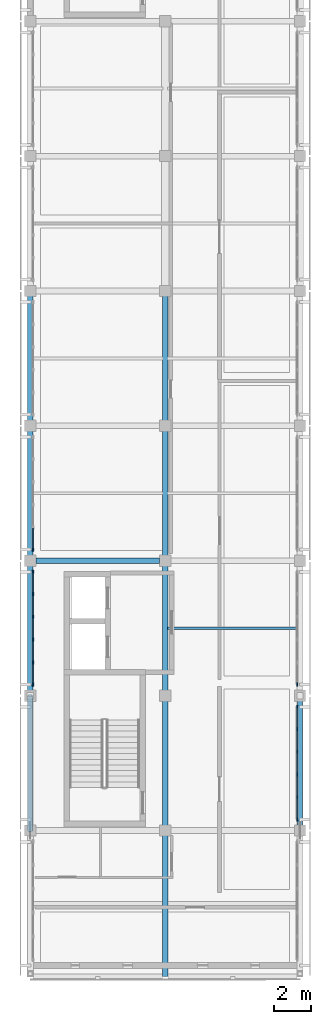
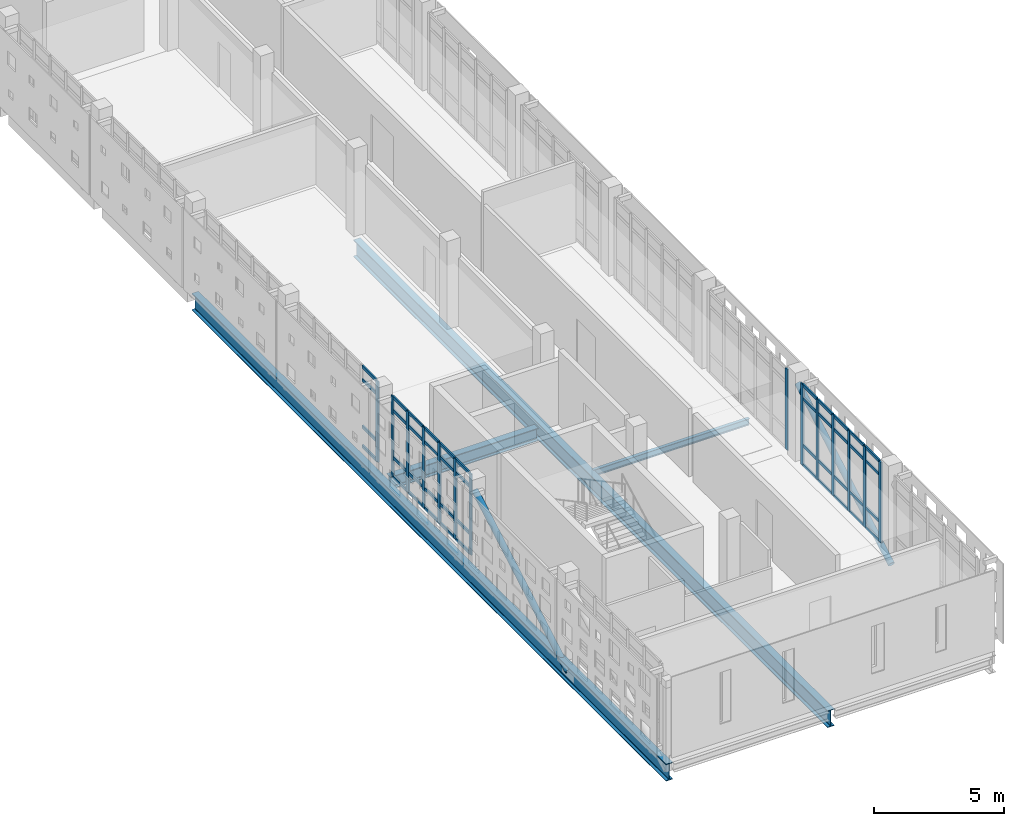
# One storey, part 3 of 21: 60 members, 4 beams, 4 elements without a shape of their own.
"""IFC4 building model written with IfcOpenShell, lengths in metres."""

from ifc_helpers import new_model, si_unit, direction, frame, origin, origin_2d, place, context, subcontext, project, spatial, rectangle, hollow_circle, i_section, extrude, material, layer, layer_set, material_profile, profile_set, type_object, element, aggregate, save


model = new_model("IFC4")

# Units and contexts
model_context = context("Model", 3, precision=1e-05, world=origin(), true_north=direction((0.0, 1.0)))
body_context = subcontext(model_context, "Body", "Model", "MODEL_VIEW")
ifc_project = project(units=[si_unit("LENGTHUNIT", "METRE"), si_unit("AREAUNIT", "SQUARE_METRE"), si_unit("VOLUMEUNIT", "CUBIC_METRE"), si_unit("PLANEANGLEUNIT", "RADIAN"), si_unit("MASSUNIT", "GRAM", prefix="KILO")], contexts=[model_context])

# Site, building, storey
site_placement = place(None, origin())
site = spatial("IfcSite", under=ifc_project, at=site_placement, CompositionType="ELEMENT")
building_placement = place(site_placement, origin())
building = spatial("IfcBuilding", under=site, at=building_placement, Name="Valkovuoma Quantum and Materials Research Institute", CompositionType="ELEMENT")
storey_placement = place(building_placement, frame((0.0, 0.0, 33.919921875)))
storey = spatial("IfcBuildingStorey", under=building, at=storey_placement, Name="L08", CompositionType="ELEMENT", Elevation=33.919921875)

# Beams
ifc_material_1 = material(Name="Steel S355J2", Category="steel")
ifc_material_profile_1 = material_profile(ifc_material_1, i_section(OverallWidth=0.300048828125, OverallDepth=0.60009765625, WebThickness=0.015380859375, FlangeThickness=0.030029296875, FilletRadius=0.027099609375, at=origin_2d()), Name="Steel S355J2")
ifc_profile_set_1 = profile_set([ifc_material_profile_1], Name="Steel S355J2")
beam_type_1 = type_object("IfcBeamType", Name="Beam-B-HEB600", PredefinedType="BEAM", material=ifc_profile_set_1)
beam_1_placement = place(storey_placement, frame((0.300048828125, 43.199951171875, -0.64990234375), z_axis=(1.0, 0.0, 0.0), x_axis=(0.0, 1.0, 0.0)))
element("IfcBeam", 1, at=beam_1_placement, inside=storey, type_object=beam_type_1, Name="L08 beam X-2534", PredefinedType="BEAM", context=body_context, shape_type="SweptSolid", body=[
    extrude(i_section(OverallWidth=0.300048828125, OverallDepth=0.60009765625, WebThickness=0.015380859375, FlangeThickness=0.030029296875, FilletRadius=0.027099609375, at=origin_2d()), origin(), (0.0, 0.0, 1.0), 6.599853515625),
])
ifc_material_2 = material(Name="Steel S355J2", Category="steel")
ifc_material_profile_2 = material_profile(ifc_material_2, i_section(OverallWidth=0.300048828125, OverallDepth=0.800048828125, WebThickness=0.017578125, FlangeThickness=0.032958984375, FilletRadius=0.030029296875, at=origin_2d()), Name="Steel S355J2")
ifc_profile_set_2 = profile_set([ifc_material_profile_2], Name="Steel S355J2")
beam_type_2 = type_object("IfcBeamType", Name="Beam-B-HEB800", PredefinedType="BEAM", material=ifc_profile_set_2)
for number, where, z_axis, x_axis, name in (
    (2, (0.0, 21.0, -0.75), (0.0, 1.0, 0.0), (-1.0, 0.0, 0.0), "L08 cantilever girder X0"),
    (3, (7.199951171875, 21.0, -0.75), (0.0, 1.0, 0.0), (-1.0, 0.0, 0.0), "L08 cantilever girder X1"),
):
    element("IfcBeam", number, at=place(storey_placement, frame(where, z_axis=z_axis, x_axis=x_axis)), inside=storey, type_object=beam_type_2, Name=name, PredefinedType="BEAM", context=body_context, shape_type="SweptSolid", body=[
        extrude(i_section(OverallWidth=0.300048828125, OverallDepth=0.800048828125, WebThickness=0.017578125, FlangeThickness=0.032958984375, FilletRadius=0.030029296875, at=origin_2d()), origin(), (0.0, 0.0, 1.0), 36.60009765625),
    ])
ifc_material_3 = material(Name="Steel S355J2", Category="steel")
ifc_material_profile_3 = material_profile(ifc_material_3, i_section(OverallWidth=0.14990234375, OverallDepth=0.300048828125, WebThickness=0.007080078125, FlangeThickness=0.0107421875, FilletRadius=0.014892578125, at=origin_2d()), Name="Steel S355J2")
ifc_profile_set_3 = profile_set([ifc_material_profile_3], Name="Steel S355J2")
beam_type_3 = type_object("IfcBeamType", Name="Beam-B-JST300", PredefinedType="JOIST", material=ifc_profile_set_3)
beam_2_placement = place(storey_placement, frame((7.320068359375, 39.60009765625, -0.5), z_axis=(1.0, 0.0, 0.0), x_axis=(0.0, 1.0, 0.0)))
element("IfcBeam", 4, at=beam_2_placement, inside=storey, type_object=beam_type_3, Name="L08 floor joist 2561", PredefinedType="JOIST", context=body_context, shape_type="SweptSolid", body=[
    extrude(i_section(OverallWidth=0.14990234375, OverallDepth=0.300048828125, WebThickness=0.007080078125, FlangeThickness=0.0107421875, FilletRadius=0.014892578125, at=origin_2d()), origin(), (0.0, 0.0, 1.0), 6.9599609375),
])

# Curtain wall, members
ifc_material_4 = material(Name="Thermally broken aluminium and triple low-E glazing", Category="aluminium")
ifc_layer = layer(ifc_material_4, 0.219970703125)
ifc_layer_set = layer_set([ifc_layer], Name="Thermally broken aluminium and triple low-E glazing")
curtain_wall_type = type_object("IfcCurtainWallType", Name="CW-CW-01", PredefinedType="NOTDEFINED", material=ifc_layer_set)
curtain_wall_1_placement = place(storey_placement, origin())
curtain_wall_1 = element("IfcCurtainWall", 5, at=curtain_wall_1_placement, inside=storey, type_object=curtain_wall_type, Name="L08 curtain wall 111", PredefinedType="NOTDEFINED")
ifc_material_5 = material(Name="Anodised aluminium 6060-T66", Category="aluminium")
ifc_material_profile_4 = material_profile(ifc_material_5, rectangle(XDim=0.06494140625, YDim=0.179931640625, at=origin_2d()), Name="Anodised aluminium 6060-T66")
ifc_profile_set_4 = profile_set([ifc_material_profile_4], Name="Anodised aluminium 6060-T66")
member_type_1 = type_object("IfcMemberType", Name="CWMull-CWM-01", PredefinedType="MULLION", material=ifc_profile_set_4)
member_1_placement = place(storey_placement, frame((14.25, 29.3896484375, 0.0), z_axis=(0.0, 0.0, 1.0), x_axis=(-1.0, 0.0, 0.0)))
member_1 = element("IfcMember", 6, at=member_1_placement, type_object=member_type_1, Name="CW-01 mullion 1", PredefinedType="MULLION", context=body_context, shape_type="SweptSolid", body=[
    extrude(rectangle(XDim=0.06494140625, YDim=0.179931640625, at=origin_2d()), origin(), (0.0, 0.0, 1.0), 3.81005859375),
])
member_2_placement = place(storey_placement, frame((14.25, 30.57421875, 0.0), z_axis=(0.0, 0.0, 1.0), x_axis=(-1.0, 0.0, 0.0)))
member_2 = element("IfcMember", 7, at=member_2_placement, type_object=member_type_1, Name="CW-01 mullion 2", PredefinedType="MULLION", context=body_context, shape_type="SweptSolid", body=[
    extrude(rectangle(XDim=0.06494140625, YDim=0.179931640625, at=origin_2d()), origin(), (0.0, 0.0, 1.0), 3.81005859375),
])
member_3_placement = place(storey_placement, frame((14.25, 31.79150390625, 0.0), z_axis=(0.0, 0.0, 1.0), x_axis=(-1.0, 0.0, 0.0)))
member_3 = element("IfcMember", 8, at=member_3_placement, type_object=member_type_1, Name="CW-01 mullion 3", PredefinedType="MULLION", context=body_context, shape_type="SweptSolid", body=[
    extrude(rectangle(XDim=0.06494140625, YDim=0.179931640625, at=origin_2d()), origin(), (0.0, 0.0, 1.0), 3.81005859375),
])
member_4_placement = place(storey_placement, frame((14.25, 33.008544921875, 0.0), z_axis=(0.0, 0.0, 1.0), x_axis=(-1.0, 0.0, 0.0)))
member_4 = element("IfcMember", 9, at=member_4_placement, type_object=member_type_1, Name="CW-01 mullion 4", PredefinedType="MULLION", context=body_context, shape_type="SweptSolid", body=[
    extrude(rectangle(XDim=0.06494140625, YDim=0.179931640625, at=origin_2d()), origin(), (0.0, 0.0, 1.0), 3.81005859375),
])
member_5_placement = place(storey_placement, frame((14.25, 34.225830078125, 0.0), z_axis=(0.0, 0.0, 1.0), x_axis=(-1.0, 0.0, 0.0)))
member_5 = element("IfcMember", 10, at=member_5_placement, type_object=member_type_1, Name="CW-01 mullion 5", PredefinedType="MULLION", context=body_context, shape_type="SweptSolid", body=[
    extrude(rectangle(XDim=0.06494140625, YDim=0.179931640625, at=origin_2d()), origin(), (0.0, 0.0, 1.0), 3.81005859375),
])
member_6_placement = place(storey_placement, frame((14.25, 35.410400390625, 0.0), z_axis=(0.0, 0.0, 1.0), x_axis=(-1.0, 0.0, 0.0)))
member_6 = element("IfcMember", 11, at=member_6_placement, type_object=member_type_1, Name="CW-01 mullion 6", PredefinedType="MULLION", context=body_context, shape_type="SweptSolid", body=[
    extrude(rectangle(XDim=0.06494140625, YDim=0.179931640625, at=origin_2d()), origin(), (0.0, 0.0, 1.0), 3.81005859375),
])

curtain_wall_2_placement = place(storey_placement, origin())
curtain_wall_2 = element("IfcCurtainWall", 12, at=curtain_wall_2_placement, inside=storey, type_object=curtain_wall_type, Name="L08 curtain wall 112", PredefinedType="NOTDEFINED")
member_7_placement = place(storey_placement, frame((0.14990234375, 36.589599609375, 0.0), z_axis=(0.0, 0.0, 1.0), x_axis=(-1.0, 0.0, 0.0)))
member_7 = element("IfcMember", 13, at=member_7_placement, type_object=member_type_1, Name="CW-01 mullion 1", PredefinedType="MULLION", context=body_context, shape_type="SweptSolid", body=[
    extrude(rectangle(XDim=0.06494140625, YDim=0.179931640625, at=origin_2d()), origin(), (0.0, 0.0, 1.0), 3.81005859375),
])
member_8_placement = place(storey_placement, frame((0.14990234375, 37.774169921875, 0.0), z_axis=(0.0, 0.0, 1.0), x_axis=(-1.0, 0.0, 0.0)))
member_8 = element("IfcMember", 14, at=member_8_placement, type_object=member_type_1, Name="CW-01 mullion 2", PredefinedType="MULLION", context=body_context, shape_type="SweptSolid", body=[
    extrude(rectangle(XDim=0.06494140625, YDim=0.179931640625, at=origin_2d()), origin(), (0.0, 0.0, 1.0), 3.81005859375),
])
member_9_placement = place(storey_placement, frame((0.14990234375, 38.991455078125, 0.0), z_axis=(0.0, 0.0, 1.0), x_axis=(-1.0, 0.0, 0.0)))
member_9 = element("IfcMember", 15, at=member_9_placement, type_object=member_type_1, Name="CW-01 mullion 3", PredefinedType="MULLION", context=body_context, shape_type="SweptSolid", body=[
    extrude(rectangle(XDim=0.06494140625, YDim=0.179931640625, at=origin_2d()), origin(), (0.0, 0.0, 1.0), 3.81005859375),
])
member_10_placement = place(storey_placement, frame((0.14990234375, 40.20849609375, 0.0), z_axis=(0.0, 0.0, 1.0), x_axis=(-1.0, 0.0, 0.0)))
member_10 = element("IfcMember", 16, at=member_10_placement, type_object=member_type_1, Name="CW-01 mullion 4", PredefinedType="MULLION", context=body_context, shape_type="SweptSolid", body=[
    extrude(rectangle(XDim=0.06494140625, YDim=0.179931640625, at=origin_2d()), origin(), (0.0, 0.0, 1.0), 3.81005859375),
])
member_11_placement = place(storey_placement, frame((0.14990234375, 41.42578125, 0.0), z_axis=(0.0, 0.0, 1.0), x_axis=(-1.0, 0.0, 0.0)))
member_11 = element("IfcMember", 17, at=member_11_placement, type_object=member_type_1, Name="CW-01 mullion 5", PredefinedType="MULLION", context=body_context, shape_type="SweptSolid", body=[
    extrude(rectangle(XDim=0.06494140625, YDim=0.179931640625, at=origin_2d()), origin(), (0.0, 0.0, 1.0), 3.81005859375),
])
member_12_placement = place(storey_placement, frame((0.14990234375, 42.6103515625, 0.0), z_axis=(0.0, 0.0, 1.0), x_axis=(-1.0, 0.0, 0.0)))
member_12 = element("IfcMember", 18, at=member_12_placement, type_object=member_type_1, Name="CW-01 mullion 6", PredefinedType="MULLION", context=body_context, shape_type="SweptSolid", body=[
    extrude(rectangle(XDim=0.06494140625, YDim=0.179931640625, at=origin_2d()), origin(), (0.0, 0.0, 1.0), 3.81005859375),
])

# Curtain wall, member
curtain_wall_3_placement = place(storey_placement, origin())
curtain_wall_3 = element("IfcCurtainWall", 19, at=curtain_wall_3_placement, inside=storey, type_object=curtain_wall_type, Name="L08 curtain wall 113", PredefinedType="NOTDEFINED")
member_13_placement = place(storey_placement, frame((14.25, 36.589599609375, 0.0), z_axis=(0.0, 0.0, 1.0), x_axis=(-1.0, 0.0, 0.0)))
member_13 = element("IfcMember", 20, at=member_13_placement, type_object=member_type_1, Name="CW-01 mullion 1", PredefinedType="MULLION", context=body_context, shape_type="SweptSolid", body=[
    extrude(rectangle(XDim=0.06494140625, YDim=0.179931640625, at=origin_2d()), origin(), (0.0, 0.0, 1.0), 3.81005859375),
])
aggregate(curtain_wall_3, [member_13])

curtain_wall_4_placement = place(storey_placement, origin())
curtain_wall_4 = element("IfcCurtainWall", 21, at=curtain_wall_4_placement, inside=storey, type_object=curtain_wall_type, Name="L08 curtain wall 114", PredefinedType="NOTDEFINED")
member_14_placement = place(storey_placement, frame((0.14990234375, 43.78955078125, 0.0), z_axis=(0.0, 0.0, 1.0), x_axis=(-1.0, 0.0, 0.0)))
member_14 = element("IfcMember", 22, at=member_14_placement, type_object=member_type_1, Name="CW-01 mullion 1", PredefinedType="MULLION", context=body_context, shape_type="SweptSolid", body=[
    extrude(rectangle(XDim=0.06494140625, YDim=0.179931640625, at=origin_2d()), origin(), (0.0, 0.0, 1.0), 3.81005859375),
])

# Member
ifc_material_6 = material(Name="Anodised aluminium 6060-T66", Category="aluminium")
ifc_material_profile_5 = material_profile(ifc_material_6, rectangle(XDim=0.06494140625, YDim=0.139892578125, at=origin_2d()), Name="Anodised aluminium 6060-T66")
ifc_profile_set_5 = profile_set([ifc_material_profile_5], Name="Anodised aluminium 6060-T66")
member_type_2 = type_object("IfcMemberType", Name="CWTran-CWT-01", PredefinedType="USERDEFINED", material=ifc_profile_set_5)
member_15_placement = place(storey_placement, frame((14.25, 29.422119140625, 0.032470703125), z_axis=(0.0, 1.0, 0.0), x_axis=(-1.0, 0.0, 0.0)))
member_15 = element("IfcMember", 23, at=member_15_placement, type_object=member_type_2, Name="CW-01 transom 1.1", ObjectType="TRANSOM", PredefinedType="USERDEFINED", context=body_context, shape_type="SweptSolid", body=[
    extrude(rectangle(XDim=0.06494140625, YDim=0.139892578125, at=origin_2d()), origin(), (0.0, 0.0, 1.0), 1.11962890625),
])

member_16_placement = place(storey_placement, frame((14.25, 29.422119140625, 0.9501953125), z_axis=(0.0, 1.0, 0.0), x_axis=(-1.0, 0.0, 0.0)))
member_16 = element("IfcMember", 24, at=member_16_placement, type_object=member_type_2, Name="CW-01 transom 1.2", ObjectType="TRANSOM", PredefinedType="USERDEFINED", context=body_context, shape_type="SweptSolid", body=[
    extrude(rectangle(XDim=0.06494140625, YDim=0.139892578125, at=origin_2d()), origin(), (0.0, 0.0, 1.0), 1.11962890625),
])

member_17_placement = place(storey_placement, frame((14.25, 29.422119140625, 3.16015625), z_axis=(0.0, 1.0, 0.0), x_axis=(-1.0, 0.0, 0.0)))
member_17 = element("IfcMember", 25, at=member_17_placement, type_object=member_type_2, Name="CW-01 transom 1.3", ObjectType="TRANSOM", PredefinedType="USERDEFINED", context=body_context, shape_type="SweptSolid", body=[
    extrude(rectangle(XDim=0.06494140625, YDim=0.139892578125, at=origin_2d()), origin(), (0.0, 0.0, 1.0), 1.11962890625),
])

member_18_placement = place(storey_placement, frame((14.25, 29.422119140625, 3.777587890625), z_axis=(0.0, 1.0, 0.0), x_axis=(-1.0, 0.0, 0.0)))
member_18 = element("IfcMember", 26, at=member_18_placement, type_object=member_type_2, Name="CW-01 transom 1.4", ObjectType="TRANSOM", PredefinedType="USERDEFINED", context=body_context, shape_type="SweptSolid", body=[
    extrude(rectangle(XDim=0.06494140625, YDim=0.139892578125, at=origin_2d()), origin(), (0.0, 0.0, 1.0), 1.11962890625),
])

member_19_placement = place(storey_placement, frame((14.25, 30.606689453125, 0.032470703125), z_axis=(0.0, 1.0, 0.0), x_axis=(-1.0, 0.0, 0.0)))
member_19 = element("IfcMember", 27, at=member_19_placement, type_object=member_type_2, Name="CW-01 transom 2.1", ObjectType="TRANSOM", PredefinedType="USERDEFINED", context=body_context, shape_type="SweptSolid", body=[
    extrude(rectangle(XDim=0.06494140625, YDim=0.139892578125, at=origin_2d()), origin(), (0.0, 0.0, 1.0), 1.15234375),
])

member_20_placement = place(storey_placement, frame((14.25, 30.606689453125, 0.9501953125), z_axis=(0.0, 1.0, 0.0), x_axis=(-1.0, 0.0, 0.0)))
member_20 = element("IfcMember", 28, at=member_20_placement, type_object=member_type_2, Name="CW-01 transom 2.2", ObjectType="TRANSOM", PredefinedType="USERDEFINED", context=body_context, shape_type="SweptSolid", body=[
    extrude(rectangle(XDim=0.06494140625, YDim=0.139892578125, at=origin_2d()), origin(), (0.0, 0.0, 1.0), 1.15234375),
])

member_21_placement = place(storey_placement, frame((14.25, 30.606689453125, 3.16015625), z_axis=(0.0, 1.0, 0.0), x_axis=(-1.0, 0.0, 0.0)))
member_21 = element("IfcMember", 29, at=member_21_placement, type_object=member_type_2, Name="CW-01 transom 2.3", ObjectType="TRANSOM", PredefinedType="USERDEFINED", context=body_context, shape_type="SweptSolid", body=[
    extrude(rectangle(XDim=0.06494140625, YDim=0.139892578125, at=origin_2d()), origin(), (0.0, 0.0, 1.0), 1.15234375),
])

member_22_placement = place(storey_placement, frame((14.25, 30.606689453125, 3.777587890625), z_axis=(0.0, 1.0, 0.0), x_axis=(-1.0, 0.0, 0.0)))
member_22 = element("IfcMember", 30, at=member_22_placement, type_object=member_type_2, Name="CW-01 transom 2.4", ObjectType="TRANSOM", PredefinedType="USERDEFINED", context=body_context, shape_type="SweptSolid", body=[
    extrude(rectangle(XDim=0.06494140625, YDim=0.139892578125, at=origin_2d()), origin(), (0.0, 0.0, 1.0), 1.15234375),
])

member_23_placement = place(storey_placement, frame((14.25, 31.823974609375, 0.032470703125), z_axis=(0.0, 1.0, 0.0), x_axis=(-1.0, 0.0, 0.0)))
member_23 = element("IfcMember", 31, at=member_23_placement, type_object=member_type_2, Name="CW-01 transom 3.1", ObjectType="TRANSOM", PredefinedType="USERDEFINED", context=body_context, shape_type="SweptSolid", body=[
    extrude(rectangle(XDim=0.06494140625, YDim=0.139892578125, at=origin_2d()), origin(), (0.0, 0.0, 1.0), 1.152099609375),
])

member_24_placement = place(storey_placement, frame((14.25, 31.823974609375, 0.9501953125), z_axis=(0.0, 1.0, 0.0), x_axis=(-1.0, 0.0, 0.0)))
member_24 = element("IfcMember", 32, at=member_24_placement, type_object=member_type_2, Name="CW-01 transom 3.2", ObjectType="TRANSOM", PredefinedType="USERDEFINED", context=body_context, shape_type="SweptSolid", body=[
    extrude(rectangle(XDim=0.06494140625, YDim=0.139892578125, at=origin_2d()), origin(), (0.0, 0.0, 1.0), 1.152099609375),
])

member_25_placement = place(storey_placement, frame((14.25, 31.823974609375, 3.16015625), z_axis=(0.0, 1.0, 0.0), x_axis=(-1.0, 0.0, 0.0)))
member_25 = element("IfcMember", 33, at=member_25_placement, type_object=member_type_2, Name="CW-01 transom 3.3", ObjectType="TRANSOM", PredefinedType="USERDEFINED", context=body_context, shape_type="SweptSolid", body=[
    extrude(rectangle(XDim=0.06494140625, YDim=0.139892578125, at=origin_2d()), origin(), (0.0, 0.0, 1.0), 1.152099609375),
])

member_26_placement = place(storey_placement, frame((14.25, 31.823974609375, 3.777587890625), z_axis=(0.0, 1.0, 0.0), x_axis=(-1.0, 0.0, 0.0)))
member_26 = element("IfcMember", 34, at=member_26_placement, type_object=member_type_2, Name="CW-01 transom 3.4", ObjectType="TRANSOM", PredefinedType="USERDEFINED", context=body_context, shape_type="SweptSolid", body=[
    extrude(rectangle(XDim=0.06494140625, YDim=0.139892578125, at=origin_2d()), origin(), (0.0, 0.0, 1.0), 1.152099609375),
])

member_27_placement = place(storey_placement, frame((14.25, 33.041015625, 0.032470703125), z_axis=(0.0, 1.0, 0.0), x_axis=(-1.0, 0.0, 0.0)))
member_27 = element("IfcMember", 35, at=member_27_placement, type_object=member_type_2, Name="CW-01 transom 4.1", ObjectType="TRANSOM", PredefinedType="USERDEFINED", context=body_context, shape_type="SweptSolid", body=[
    extrude(rectangle(XDim=0.06494140625, YDim=0.139892578125, at=origin_2d()), origin(), (0.0, 0.0, 1.0), 1.15234375),
])

member_28_placement = place(storey_placement, frame((14.25, 33.041015625, 0.9501953125), z_axis=(0.0, 1.0, 0.0), x_axis=(-1.0, 0.0, 0.0)))
member_28 = element("IfcMember", 36, at=member_28_placement, type_object=member_type_2, Name="CW-01 transom 4.2", ObjectType="TRANSOM", PredefinedType="USERDEFINED", context=body_context, shape_type="SweptSolid", body=[
    extrude(rectangle(XDim=0.06494140625, YDim=0.139892578125, at=origin_2d()), origin(), (0.0, 0.0, 1.0), 1.15234375),
])

member_29_placement = place(storey_placement, frame((14.25, 33.041015625, 3.16015625), z_axis=(0.0, 1.0, 0.0), x_axis=(-1.0, 0.0, 0.0)))
member_29 = element("IfcMember", 37, at=member_29_placement, type_object=member_type_2, Name="CW-01 transom 4.3", ObjectType="TRANSOM", PredefinedType="USERDEFINED", context=body_context, shape_type="SweptSolid", body=[
    extrude(rectangle(XDim=0.06494140625, YDim=0.139892578125, at=origin_2d()), origin(), (0.0, 0.0, 1.0), 1.15234375),
])

member_30_placement = place(storey_placement, frame((14.25, 33.041015625, 3.777587890625), z_axis=(0.0, 1.0, 0.0), x_axis=(-1.0, 0.0, 0.0)))
member_30 = element("IfcMember", 38, at=member_30_placement, type_object=member_type_2, Name="CW-01 transom 4.4", ObjectType="TRANSOM", PredefinedType="USERDEFINED", context=body_context, shape_type="SweptSolid", body=[
    extrude(rectangle(XDim=0.06494140625, YDim=0.139892578125, at=origin_2d()), origin(), (0.0, 0.0, 1.0), 1.15234375),
])

member_31_placement = place(storey_placement, frame((14.25, 34.25830078125, 0.032470703125), z_axis=(0.0, 1.0, 0.0), x_axis=(-1.0, 0.0, 0.0)))
member_31 = element("IfcMember", 39, at=member_31_placement, type_object=member_type_2, Name="CW-01 transom 5.1", ObjectType="TRANSOM", PredefinedType="USERDEFINED", context=body_context, shape_type="SweptSolid", body=[
    extrude(rectangle(XDim=0.06494140625, YDim=0.139892578125, at=origin_2d()), origin(), (0.0, 0.0, 1.0), 1.11962890625),
])

member_32_placement = place(storey_placement, frame((14.25, 34.25830078125, 0.9501953125), z_axis=(0.0, 1.0, 0.0), x_axis=(-1.0, 0.0, 0.0)))
member_32 = element("IfcMember", 40, at=member_32_placement, type_object=member_type_2, Name="CW-01 transom 5.2", ObjectType="TRANSOM", PredefinedType="USERDEFINED", context=body_context, shape_type="SweptSolid", body=[
    extrude(rectangle(XDim=0.06494140625, YDim=0.139892578125, at=origin_2d()), origin(), (0.0, 0.0, 1.0), 1.11962890625),
])

member_33_placement = place(storey_placement, frame((14.25, 34.25830078125, 3.16015625), z_axis=(0.0, 1.0, 0.0), x_axis=(-1.0, 0.0, 0.0)))
member_33 = element("IfcMember", 41, at=member_33_placement, type_object=member_type_2, Name="CW-01 transom 5.3", ObjectType="TRANSOM", PredefinedType="USERDEFINED", context=body_context, shape_type="SweptSolid", body=[
    extrude(rectangle(XDim=0.06494140625, YDim=0.139892578125, at=origin_2d()), origin(), (0.0, 0.0, 1.0), 1.11962890625),
])

member_34_placement = place(storey_placement, frame((14.25, 34.25830078125, 3.777587890625), z_axis=(0.0, 1.0, 0.0), x_axis=(-1.0, 0.0, 0.0)))
member_34 = element("IfcMember", 42, at=member_34_placement, type_object=member_type_2, Name="CW-01 transom 5.4", ObjectType="TRANSOM", PredefinedType="USERDEFINED", context=body_context, shape_type="SweptSolid", body=[
    extrude(rectangle(XDim=0.06494140625, YDim=0.139892578125, at=origin_2d()), origin(), (0.0, 0.0, 1.0), 1.11962890625),
])

aggregate(curtain_wall_1, [member_1, member_2, member_3, member_4, member_5, member_6, member_15, member_16, member_17, member_18, member_19, member_20, member_21, member_22, member_23, member_24, member_25, member_26, member_27, member_28, member_29, member_30, member_31, member_32, member_33, member_34])

member_35_placement = place(storey_placement, frame((0.14990234375, 36.6220703125, 0.032470703125), z_axis=(0.0, 1.0, 0.0), x_axis=(-1.0, 0.0, 0.0)))
member_35 = element("IfcMember", 43, at=member_35_placement, type_object=member_type_2, Name="CW-01 transom 1.1", ObjectType="TRANSOM", PredefinedType="USERDEFINED", context=body_context, shape_type="SweptSolid", body=[
    extrude(rectangle(XDim=0.06494140625, YDim=0.139892578125, at=origin_2d()), origin(), (0.0, 0.0, 1.0), 1.11962890625),
])

member_36_placement = place(storey_placement, frame((0.14990234375, 36.6220703125, 0.9501953125), z_axis=(0.0, 1.0, 0.0), x_axis=(-1.0, 0.0, 0.0)))
member_36 = element("IfcMember", 44, at=member_36_placement, type_object=member_type_2, Name="CW-01 transom 1.2", ObjectType="TRANSOM", PredefinedType="USERDEFINED", context=body_context, shape_type="SweptSolid", body=[
    extrude(rectangle(XDim=0.06494140625, YDim=0.139892578125, at=origin_2d()), origin(), (0.0, 0.0, 1.0), 1.11962890625),
])

member_37_placement = place(storey_placement, frame((0.14990234375, 36.6220703125, 3.16015625), z_axis=(0.0, 1.0, 0.0), x_axis=(-1.0, 0.0, 0.0)))
member_37 = element("IfcMember", 45, at=member_37_placement, type_object=member_type_2, Name="CW-01 transom 1.3", ObjectType="TRANSOM", PredefinedType="USERDEFINED", context=body_context, shape_type="SweptSolid", body=[
    extrude(rectangle(XDim=0.06494140625, YDim=0.139892578125, at=origin_2d()), origin(), (0.0, 0.0, 1.0), 1.11962890625),
])

member_38_placement = place(storey_placement, frame((0.14990234375, 36.6220703125, 3.777587890625), z_axis=(0.0, 1.0, 0.0), x_axis=(-1.0, 0.0, 0.0)))
member_38 = element("IfcMember", 46, at=member_38_placement, type_object=member_type_2, Name="CW-01 transom 1.4", ObjectType="TRANSOM", PredefinedType="USERDEFINED", context=body_context, shape_type="SweptSolid", body=[
    extrude(rectangle(XDim=0.06494140625, YDim=0.139892578125, at=origin_2d()), origin(), (0.0, 0.0, 1.0), 1.11962890625),
])

member_39_placement = place(storey_placement, frame((0.14990234375, 37.806640625, 0.032470703125), z_axis=(0.0, 1.0, 0.0), x_axis=(-1.0, 0.0, 0.0)))
member_39 = element("IfcMember", 47, at=member_39_placement, type_object=member_type_2, Name="CW-01 transom 2.1", ObjectType="TRANSOM", PredefinedType="USERDEFINED", context=body_context, shape_type="SweptSolid", body=[
    extrude(rectangle(XDim=0.06494140625, YDim=0.139892578125, at=origin_2d()), origin(), (0.0, 0.0, 1.0), 1.15234375),
])

member_40_placement = place(storey_placement, frame((0.14990234375, 37.806640625, 0.9501953125), z_axis=(0.0, 1.0, 0.0), x_axis=(-1.0, 0.0, 0.0)))
member_40 = element("IfcMember", 48, at=member_40_placement, type_object=member_type_2, Name="CW-01 transom 2.2", ObjectType="TRANSOM", PredefinedType="USERDEFINED", context=body_context, shape_type="SweptSolid", body=[
    extrude(rectangle(XDim=0.06494140625, YDim=0.139892578125, at=origin_2d()), origin(), (0.0, 0.0, 1.0), 1.15234375),
])

member_41_placement = place(storey_placement, frame((0.14990234375, 37.806640625, 3.16015625), z_axis=(0.0, 1.0, 0.0), x_axis=(-1.0, 0.0, 0.0)))
member_41 = element("IfcMember", 49, at=member_41_placement, type_object=member_type_2, Name="CW-01 transom 2.3", ObjectType="TRANSOM", PredefinedType="USERDEFINED", context=body_context, shape_type="SweptSolid", body=[
    extrude(rectangle(XDim=0.06494140625, YDim=0.139892578125, at=origin_2d()), origin(), (0.0, 0.0, 1.0), 1.15234375),
])

member_42_placement = place(storey_placement, frame((0.14990234375, 37.806640625, 3.777587890625), z_axis=(0.0, 1.0, 0.0), x_axis=(-1.0, 0.0, 0.0)))
member_42 = element("IfcMember", 50, at=member_42_placement, type_object=member_type_2, Name="CW-01 transom 2.4", ObjectType="TRANSOM", PredefinedType="USERDEFINED", context=body_context, shape_type="SweptSolid", body=[
    extrude(rectangle(XDim=0.06494140625, YDim=0.139892578125, at=origin_2d()), origin(), (0.0, 0.0, 1.0), 1.15234375),
])

member_43_placement = place(storey_placement, frame((0.14990234375, 39.02392578125, 0.032470703125), z_axis=(0.0, 1.0, 0.0), x_axis=(-1.0, 0.0, 0.0)))
member_43 = element("IfcMember", 51, at=member_43_placement, type_object=member_type_2, Name="CW-01 transom 3.1", ObjectType="TRANSOM", PredefinedType="USERDEFINED", context=body_context, shape_type="SweptSolid", body=[
    extrude(rectangle(XDim=0.06494140625, YDim=0.139892578125, at=origin_2d()), origin(), (0.0, 0.0, 1.0), 1.152099609375),
])

member_44_placement = place(storey_placement, frame((0.14990234375, 39.02392578125, 0.9501953125), z_axis=(0.0, 1.0, 0.0), x_axis=(-1.0, 0.0, 0.0)))
member_44 = element("IfcMember", 52, at=member_44_placement, type_object=member_type_2, Name="CW-01 transom 3.2", ObjectType="TRANSOM", PredefinedType="USERDEFINED", context=body_context, shape_type="SweptSolid", body=[
    extrude(rectangle(XDim=0.06494140625, YDim=0.139892578125, at=origin_2d()), origin(), (0.0, 0.0, 1.0), 1.152099609375),
])

member_45_placement = place(storey_placement, frame((0.14990234375, 39.02392578125, 3.16015625), z_axis=(0.0, 1.0, 0.0), x_axis=(-1.0, 0.0, 0.0)))
member_45 = element("IfcMember", 53, at=member_45_placement, type_object=member_type_2, Name="CW-01 transom 3.3", ObjectType="TRANSOM", PredefinedType="USERDEFINED", context=body_context, shape_type="SweptSolid", body=[
    extrude(rectangle(XDim=0.06494140625, YDim=0.139892578125, at=origin_2d()), origin(), (0.0, 0.0, 1.0), 1.152099609375),
])

member_46_placement = place(storey_placement, frame((0.14990234375, 39.02392578125, 3.777587890625), z_axis=(0.0, 1.0, 0.0), x_axis=(-1.0, 0.0, 0.0)))
member_46 = element("IfcMember", 54, at=member_46_placement, type_object=member_type_2, Name="CW-01 transom 3.4", ObjectType="TRANSOM", PredefinedType="USERDEFINED", context=body_context, shape_type="SweptSolid", body=[
    extrude(rectangle(XDim=0.06494140625, YDim=0.139892578125, at=origin_2d()), origin(), (0.0, 0.0, 1.0), 1.152099609375),
])

member_47_placement = place(storey_placement, frame((0.14990234375, 40.240966796875, 0.032470703125), z_axis=(0.0, 1.0, 0.0), x_axis=(-1.0, 0.0, 0.0)))
member_47 = element("IfcMember", 55, at=member_47_placement, type_object=member_type_2, Name="CW-01 transom 4.1", ObjectType="TRANSOM", PredefinedType="USERDEFINED", context=body_context, shape_type="SweptSolid", body=[
    extrude(rectangle(XDim=0.06494140625, YDim=0.139892578125, at=origin_2d()), origin(), (0.0, 0.0, 1.0), 1.15234375),
])

member_48_placement = place(storey_placement, frame((0.14990234375, 40.240966796875, 0.9501953125), z_axis=(0.0, 1.0, 0.0), x_axis=(-1.0, 0.0, 0.0)))
member_48 = element("IfcMember", 56, at=member_48_placement, type_object=member_type_2, Name="CW-01 transom 4.2", ObjectType="TRANSOM", PredefinedType="USERDEFINED", context=body_context, shape_type="SweptSolid", body=[
    extrude(rectangle(XDim=0.06494140625, YDim=0.139892578125, at=origin_2d()), origin(), (0.0, 0.0, 1.0), 1.15234375),
])

member_49_placement = place(storey_placement, frame((0.14990234375, 40.240966796875, 3.16015625), z_axis=(0.0, 1.0, 0.0), x_axis=(-1.0, 0.0, 0.0)))
member_49 = element("IfcMember", 57, at=member_49_placement, type_object=member_type_2, Name="CW-01 transom 4.3", ObjectType="TRANSOM", PredefinedType="USERDEFINED", context=body_context, shape_type="SweptSolid", body=[
    extrude(rectangle(XDim=0.06494140625, YDim=0.139892578125, at=origin_2d()), origin(), (0.0, 0.0, 1.0), 1.15234375),
])

member_50_placement = place(storey_placement, frame((0.14990234375, 40.240966796875, 3.777587890625), z_axis=(0.0, 1.0, 0.0), x_axis=(-1.0, 0.0, 0.0)))
member_50 = element("IfcMember", 58, at=member_50_placement, type_object=member_type_2, Name="CW-01 transom 4.4", ObjectType="TRANSOM", PredefinedType="USERDEFINED", context=body_context, shape_type="SweptSolid", body=[
    extrude(rectangle(XDim=0.06494140625, YDim=0.139892578125, at=origin_2d()), origin(), (0.0, 0.0, 1.0), 1.15234375),
])

member_51_placement = place(storey_placement, frame((0.14990234375, 41.458251953125, 0.032470703125), z_axis=(0.0, 1.0, 0.0), x_axis=(-1.0, 0.0, 0.0)))
member_51 = element("IfcMember", 59, at=member_51_placement, type_object=member_type_2, Name="CW-01 transom 5.1", ObjectType="TRANSOM", PredefinedType="USERDEFINED", context=body_context, shape_type="SweptSolid", body=[
    extrude(rectangle(XDim=0.06494140625, YDim=0.139892578125, at=origin_2d()), origin(), (0.0, 0.0, 1.0), 1.11962890625),
])

member_52_placement = place(storey_placement, frame((0.14990234375, 41.458251953125, 0.9501953125), z_axis=(0.0, 1.0, 0.0), x_axis=(-1.0, 0.0, 0.0)))
member_52 = element("IfcMember", 60, at=member_52_placement, type_object=member_type_2, Name="CW-01 transom 5.2", ObjectType="TRANSOM", PredefinedType="USERDEFINED", context=body_context, shape_type="SweptSolid", body=[
    extrude(rectangle(XDim=0.06494140625, YDim=0.139892578125, at=origin_2d()), origin(), (0.0, 0.0, 1.0), 1.11962890625),
])

member_53_placement = place(storey_placement, frame((0.14990234375, 41.458251953125, 3.16015625), z_axis=(0.0, 1.0, 0.0), x_axis=(-1.0, 0.0, 0.0)))
member_53 = element("IfcMember", 61, at=member_53_placement, type_object=member_type_2, Name="CW-01 transom 5.3", ObjectType="TRANSOM", PredefinedType="USERDEFINED", context=body_context, shape_type="SweptSolid", body=[
    extrude(rectangle(XDim=0.06494140625, YDim=0.139892578125, at=origin_2d()), origin(), (0.0, 0.0, 1.0), 1.11962890625),
])

member_54_placement = place(storey_placement, frame((0.14990234375, 41.458251953125, 3.777587890625), z_axis=(0.0, 1.0, 0.0), x_axis=(-1.0, 0.0, 0.0)))
member_54 = element("IfcMember", 62, at=member_54_placement, type_object=member_type_2, Name="CW-01 transom 5.4", ObjectType="TRANSOM", PredefinedType="USERDEFINED", context=body_context, shape_type="SweptSolid", body=[
    extrude(rectangle(XDim=0.06494140625, YDim=0.139892578125, at=origin_2d()), origin(), (0.0, 0.0, 1.0), 1.11962890625),
])

aggregate(curtain_wall_2, [member_7, member_8, member_9, member_10, member_11, member_12, member_35, member_36, member_37, member_38, member_39, member_40, member_41, member_42, member_43, member_44, member_45, member_46, member_47, member_48, member_49, member_50, member_51, member_52, member_53, member_54])

member_55_placement = place(storey_placement, frame((0.14990234375, 43.822021484375, 0.032470703125), z_axis=(0.0, 1.0, 0.0), x_axis=(-1.0, 0.0, 0.0)))
member_55 = element("IfcMember", 63, at=member_55_placement, type_object=member_type_2, Name="CW-01 transom 1.1", ObjectType="TRANSOM", PredefinedType="USERDEFINED", context=body_context, shape_type="SweptSolid", body=[
    extrude(rectangle(XDim=0.06494140625, YDim=0.139892578125, at=origin_2d()), origin(), (0.0, 0.0, 1.0), 1.11962890625),
])

member_56_placement = place(storey_placement, frame((0.14990234375, 43.822021484375, 0.9501953125), z_axis=(0.0, 1.0, 0.0), x_axis=(-1.0, 0.0, 0.0)))
member_56 = element("IfcMember", 64, at=member_56_placement, type_object=member_type_2, Name="CW-01 transom 1.2", ObjectType="TRANSOM", PredefinedType="USERDEFINED", context=body_context, shape_type="SweptSolid", body=[
    extrude(rectangle(XDim=0.06494140625, YDim=0.139892578125, at=origin_2d()), origin(), (0.0, 0.0, 1.0), 1.11962890625),
])

member_57_placement = place(storey_placement, frame((0.14990234375, 43.822021484375, 3.16015625), z_axis=(0.0, 1.0, 0.0), x_axis=(-1.0, 0.0, 0.0)))
member_57 = element("IfcMember", 65, at=member_57_placement, type_object=member_type_2, Name="CW-01 transom 1.3", ObjectType="TRANSOM", PredefinedType="USERDEFINED", context=body_context, shape_type="SweptSolid", body=[
    extrude(rectangle(XDim=0.06494140625, YDim=0.139892578125, at=origin_2d()), origin(), (0.0, 0.0, 1.0), 1.11962890625),
])

member_58_placement = place(storey_placement, frame((0.14990234375, 43.822021484375, 3.777587890625), z_axis=(0.0, 1.0, 0.0), x_axis=(-1.0, 0.0, 0.0)))
member_58 = element("IfcMember", 66, at=member_58_placement, type_object=member_type_2, Name="CW-01 transom 1.4", ObjectType="TRANSOM", PredefinedType="USERDEFINED", context=body_context, shape_type="SweptSolid", body=[
    extrude(rectangle(XDim=0.06494140625, YDim=0.139892578125, at=origin_2d()), origin(), (0.0, 0.0, 1.0), 1.11962890625),
])

aggregate(curtain_wall_4, [member_14, member_55, member_56, member_57, member_58])

# Members
ifc_material_7 = material(Name="Steel S355J2H", Category="steel")
ifc_material_profile_6 = material_profile(ifc_material_7, hollow_circle(Radius=0.136474609375, WallThickness=0.012451171875, at=origin_2d()), Name="Steel S355J2H")
ifc_profile_set_6 = profile_set([ifc_material_profile_6], Name="Steel S355J2H")
member_type_3 = type_object("IfcMemberType", Name="Mem-M-BRC273", PredefinedType="BRACE", material=ifc_profile_set_6)
for number, where, z_axis, x_axis, name in (
    (67, (0.0, 28.800048828125, -0.75), (0.0, 0.865855463966, 0.50029422895), (-1.0, 0.0, 0.0), "L08 cantilever back-span brace 0"),
    (68, (14.39990234375, 28.800048828125, -0.75), (0.0, 0.865855463966, 0.50029422895), (-1.0, 0.0, 0.0), "L08 cantilever back-span brace 1"),
):
    element("IfcMember", number, at=place(storey_placement, frame(where, z_axis=z_axis, x_axis=x_axis)), inside=storey, type_object=member_type_3, Name=name, PredefinedType="BRACE", context=body_context, shape_type="SweptSolid", body=[
        extrude(hollow_circle(Radius=0.136474609375, WallThickness=0.012451171875, at=origin_2d()), origin(), (0.0, 0.0, 1.0), 8.3154296875),
    ])

save(model, "model.ifc")
